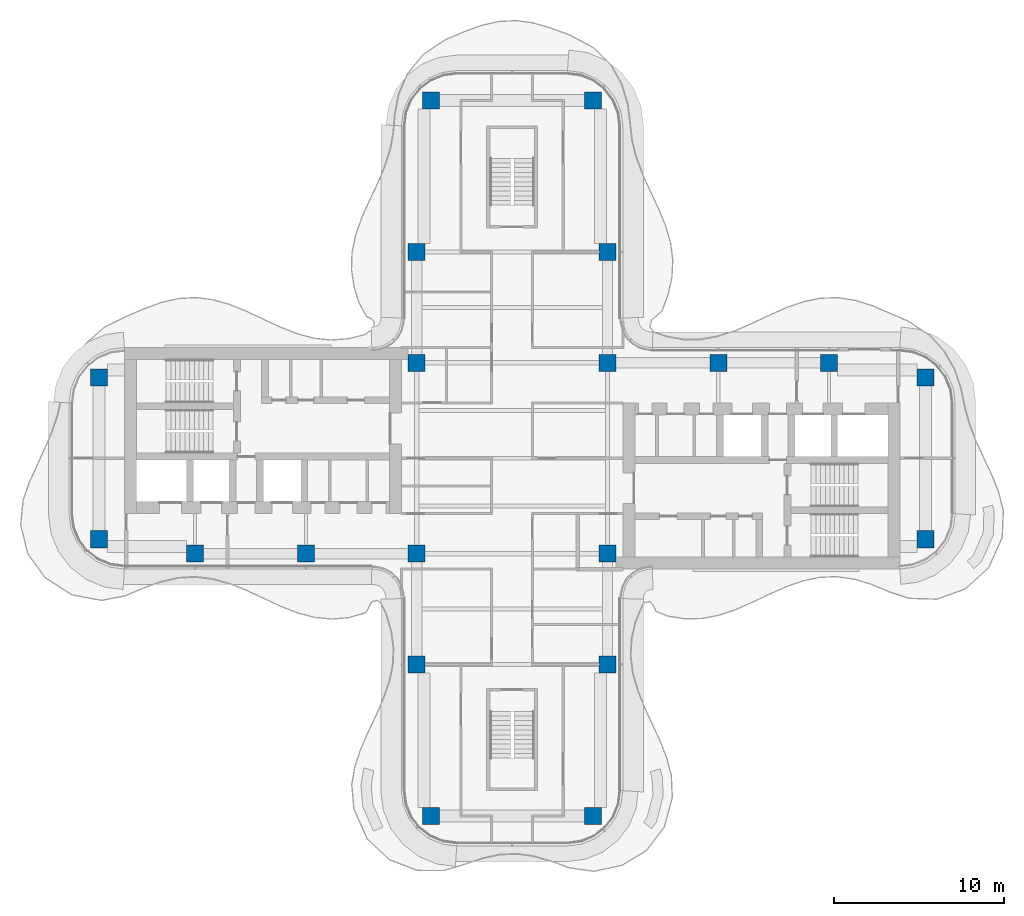
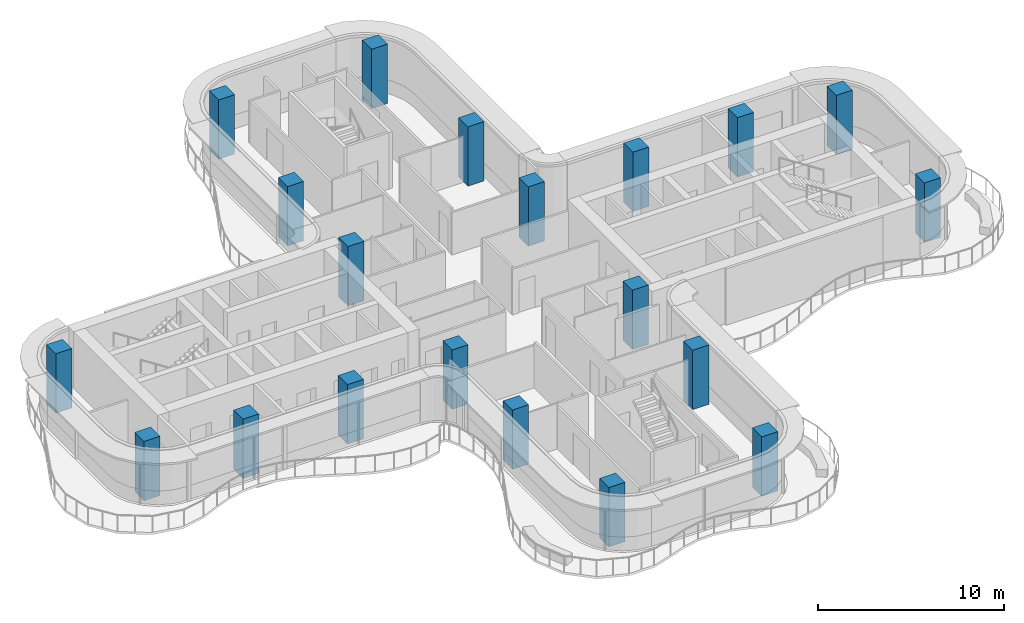
# One storey, part 1 of 17: 20 columns.
"""IFC4 building model written with IfcOpenShell, lengths in metres."""

from ifc_helpers import new_model, si_unit, direction, frame, origin, origin_2d, place, context, subcontext, project, spatial, rectangle, extrude, source, transform, mapped, material, material_profile, profile_set, type_object, element, save


model = new_model("IFC4")

# Units and contexts
model_context = context("Model", 3, precision=1e-05, world=origin(), true_north=direction((0.0, 1.0)))
body_context = subcontext(model_context, "Body", "Model", "MODEL_VIEW")
ifc_project = project(units=[si_unit("LENGTHUNIT", "METRE"), si_unit("AREAUNIT", "SQUARE_METRE"), si_unit("VOLUMEUNIT", "CUBIC_METRE"), si_unit("PLANEANGLEUNIT", "RADIAN"), si_unit("MASSUNIT", "GRAM", prefix="KILO")], contexts=[model_context])

# Site, building, storey
site_placement = place(None, origin())
site = spatial("IfcSite", under=ifc_project, at=site_placement, CompositionType="ELEMENT")
building_placement = place(site_placement, origin())
building = spatial("IfcBuilding", under=site, at=building_placement, Name="Trellis Farm Tower", CompositionType="ELEMENT")
storey_placement = place(building_placement, frame((0.0, 0.0, 295.0)))
storey = spatial("IfcBuildingStorey", under=building, at=storey_placement, Name="L66", CompositionType="ELEMENT", Elevation=295.0)

# Columns
ifc_material = material(Name="Concrete C60/75", Category="concrete")
ifc_material_profile = material_profile(ifc_material, rectangle(XDim=1.0, YDim=1.0, at=origin_2d()), Name="RC column 1000x1000 C60/75")
ifc_profile_set = profile_set([ifc_material_profile], Name="Concrete C60/75")
column_type = type_object("IfcColumnType", Name="RC column 1000x1000 C60/75", PredefinedType="COLUMN", material=ifc_profile_set)
shared_shape = source(origin(), body_context, "Body", "SweptSolid", [
    extrude(rectangle(XDim=1.0, YDim=1.0, at=origin_2d()), origin(), (0.0, 0.0, 1.0), 3.89990234375),
])
for number, where, z_axis, x_axis, name in (
    (1, (12.10009765625, 5.60009765625, 0.0), (0.0, 0.0, 1.0), (1.0, 0.0, 0.0), "Column"),
    (2, (18.60009765625, 5.60009765625, 0.0), (0.0, 0.0, 1.0), (1.0, 0.0, 0.0), "Column"),
    (3, (24.25, 4.75, 0.0), (0.0, 0.0, 1.0), (1.0, 0.0, 0.0), "Column"),
    (4, (24.25, -4.75, 0.0), (0.0, 0.0, 1.0), (1.0, 0.0, 0.0), "Column"),
    (5, (-5.60009765625, 12.10009765625, 0.0), (0.0, 0.0, 1.0), (1.0, 0.0, 0.0), "Column"),
    (6, (-4.75, 21.0, 0.0), (0.0, 0.0, 1.0), (1.0, 0.0, 0.0), "Column"),
    (7, (5.60009765625, 12.10009765625, 0.0), (0.0, 0.0, 1.0), (1.0, 0.0, 0.0), "Column"),
    (8, (4.75, 21.0, 0.0), (0.0, 0.0, 1.0), (1.0, 0.0, 0.0), "Column"),
    (9, (5.60009765625, 5.60009765625, 0.0), (0.0, 0.0, 1.0), (1.0, 0.0, 0.0), "Column"),
    (10, (-5.60009765625, 5.60009765625, 0.0), (0.0, 0.0, 1.0), (1.0, 0.0, 0.0), "Column"),
    (11, (5.60009765625, -5.60009765625, 0.0), (0.0, 0.0, 1.0), (1.0, 0.0, 0.0), "Column"),
    (12, (-5.60009765625, -5.60009765625, 0.0), (0.0, 0.0, 1.0), (1.0, 0.0, 0.0), "Column"),
    (13, (5.60009765625, -12.10009765625, 0.0), (0.0, 0.0, 1.0), (1.0, 0.0, 0.0), "Column"),
    (14, (4.75, -21.0, 0.0), (0.0, 0.0, 1.0), (1.0, 0.0, 0.0), "Column"),
    (15, (-5.60009765625, -12.10009765625, 0.0), (0.0, 0.0, 1.0), (1.0, 0.0, 0.0), "Column"),
    (16, (-4.75, -21.0, 0.0), (0.0, 0.0, 1.0), (1.0, 0.0, 0.0), "Column"),
    (17, (-12.10009765625, -5.60009765625, 0.0), (0.0, 0.0, 1.0), (1.0, 0.0, 0.0), "Column"),
    (18, (-18.60009765625, -5.60009765625, 0.0), (0.0, 0.0, 1.0), (1.0, 0.0, 0.0), "Column"),
    (19, (-24.25, -4.75, 0.0), (0.0, 0.0, 1.0), (1.0, 0.0, 0.0), "Column"),
    (20, (-24.25, 4.75, 0.0), (0.0, 0.0, 1.0), (1.0, 0.0, 0.0), "Column"),
):
    element("IfcColumn", number, at=place(storey_placement, frame(where, z_axis=z_axis, x_axis=x_axis)), inside=storey, type_object=column_type, Name=name, PredefinedType="COLUMN", context=body_context, shape_type="MappedRepresentation", body=[
        mapped(shared_shape, transform((0.0, 0.0, 0.0))),
    ])

save(model, "model.ifc")
